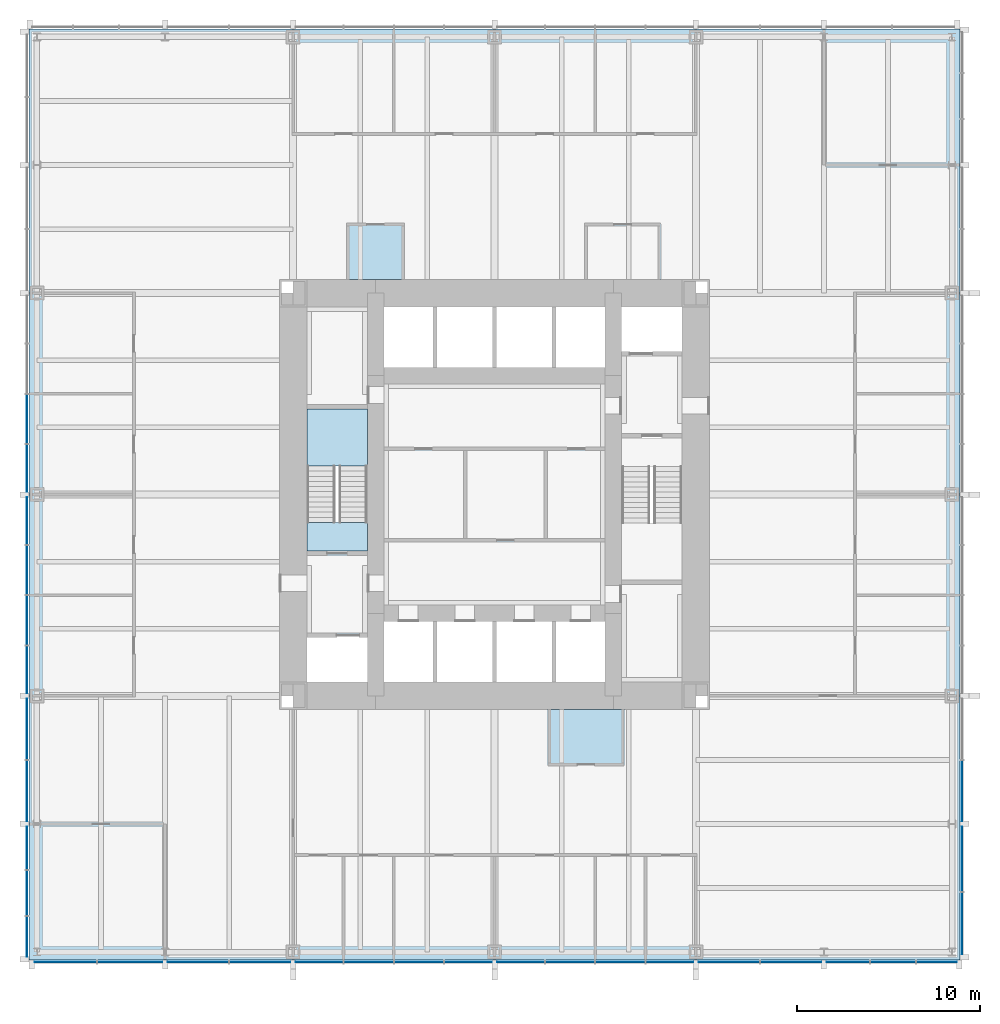
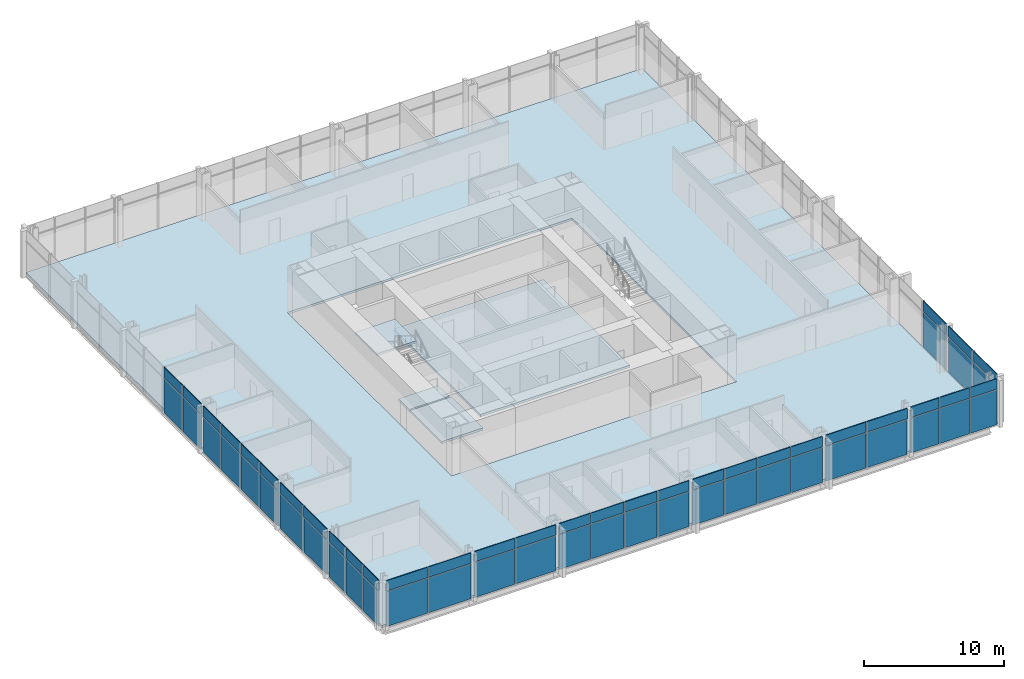
# One storey, part 7 of 12: 62 plates, 5 slabs, 4 elements without a shape of their own.
"""IFC4 building model written with IfcOpenShell, lengths in metres."""

from ifc_helpers import new_model, si_unit, direction, frame, origin, origin_2d, place, context, subcontext, project, spatial, polyline, rectangle, outline, extrude, material, layer, layer_set, type_object, element, aggregate, save


model = new_model("IFC4")

# Units and contexts
model_context = context("Model", 3, precision=1e-05, world=origin(), true_north=direction((0.0, 1.0)))
body_context = subcontext(model_context, "Body", "Model", "MODEL_VIEW")
ifc_project = project(units=[si_unit("LENGTHUNIT", "METRE"), si_unit("AREAUNIT", "SQUARE_METRE"), si_unit("VOLUMEUNIT", "CUBIC_METRE"), si_unit("PLANEANGLEUNIT", "RADIAN"), si_unit("MASSUNIT", "GRAM", prefix="KILO")], contexts=[model_context])

# Site, building, storey
site_placement = place(None, origin())
site = spatial("IfcSite", under=ifc_project, at=site_placement, CompositionType="ELEMENT")
building_placement = place(site_placement, origin())
building = spatial("IfcBuilding", under=site, at=building_placement, Name="Trevanion Tower", CompositionType="ELEMENT")
storey_placement = place(building_placement, frame((0.0, 0.0, 73.39990234375)))
storey = spatial("IfcBuildingStorey", under=building, at=storey_placement, Name="L17", CompositionType="ELEMENT", Elevation=73.39990234375)

# Curtain wall, plates
ifc_material_1 = material(Name="Aluminium and glass", Category="aluminium")
curtain_wall_type = type_object("IfcCurtainWallType", Name="CW1 curtain wall", PredefinedType="USERDEFINED", material=ifc_material_1)
curtain_wall_1_placement = place(storey_placement, origin())
curtain_wall_1 = element("IfcCurtainWall", 1, at=curtain_wall_1_placement, inside=storey, type_object=curtain_wall_type, Name="CW1 L17 0", ObjectType="UNITISED CURTAIN WALL", PredefinedType="USERDEFINED")
ifc_material_2 = material(Name="Aluminium spandrel panel", Category="aluminium")
ifc_layer_1 = layer(ifc_material_2, 0.06005859375)
ifc_layer_set_1 = layer_set([ifc_layer_1], Name="CW1 spandrel panel")
plate_type_1 = type_object("IfcPlateType", Name="CW1 spandrel panel", PredefinedType="CURTAIN_PANEL", material=ifc_layer_set_1)
plate_1_placement = place(storey_placement, frame((25.550048828125, -23.433837890625, 2.99755859375), z_axis=(0.0, 0.0, 1.0), x_axis=(0.0, 1.0, 0.0)))
plate_1 = element("IfcPlate", 2, at=plate_1_placement, type_object=plate_type_1, Name="CW1 panel 1.2", PredefinedType="CURTAIN_PANEL", context=body_context, shape_type="SweptSolid", body=[
    extrude(rectangle(XDim=3.37255859375, YDim=0.06005859375, at=origin_2d()), origin(), (0.0, 0.0, 1.0), 0.91259765625),
])
plate_2_placement = place(storey_placement, frame((25.550048828125, -19.911376953125, 2.99755859375), z_axis=(0.0, 0.0, 1.0), x_axis=(0.0, 1.0, 0.0)))
plate_2 = element("IfcPlate", 3, at=plate_2_placement, type_object=plate_type_1, Name="CW1 panel 2.2", PredefinedType="CURTAIN_PANEL", context=body_context, shape_type="SweptSolid", body=[
    extrude(rectangle(XDim=3.5224609375, YDim=0.06005859375, at=origin_2d()), origin(), (0.0, 0.0, 1.0), 0.91259765625),
])
plate_3_placement = place(storey_placement, frame((25.550048828125, -16.19384765625, 2.99755859375), z_axis=(0.0, 0.0, 1.0), x_axis=(0.0, 1.0, 0.0)))
plate_3 = element("IfcPlate", 4, at=plate_3_placement, type_object=plate_type_1, Name="CW1 panel 3.2", PredefinedType="CURTAIN_PANEL", context=body_context, shape_type="SweptSolid", body=[
    extrude(rectangle(XDim=3.3125, YDim=0.06005859375, at=origin_2d()), origin(), (0.0, 0.0, 1.0), 0.91259765625),
])

curtain_wall_2_placement = place(storey_placement, origin())
curtain_wall_2 = element("IfcCurtainWall", 5, at=curtain_wall_2_placement, inside=storey, type_object=curtain_wall_type, Name="CW1 L17 2", ObjectType="UNITISED CURTAIN WALL", PredefinedType="USERDEFINED")
plate_4_placement = place(storey_placement, frame((-25.550048828125, 4.125, 2.99755859375), z_axis=(0.0, 0.0, 1.0), x_axis=(0.0, -1.0, 0.0)))
plate_4 = element("IfcPlate", 6, at=plate_4_placement, type_object=plate_type_1, Name="CW1 panel 7.2", PredefinedType="CURTAIN_PANEL", context=body_context, shape_type="SweptSolid", body=[
    extrude(rectangle(XDim=2.675048828125, YDim=0.06005859375, at=origin_2d()), origin(), (0.0, 0.0, 1.0), 0.91259765625),
])
plate_5_placement = place(storey_placement, frame((-25.550048828125, 1.43115234375, 2.99755859375), z_axis=(0.0, 0.0, 1.0), x_axis=(0.0, -1.0, 0.0)))
plate_5 = element("IfcPlate", 7, at=plate_5_placement, type_object=plate_type_1, Name="CW1 panel 8.2", PredefinedType="CURTAIN_PANEL", context=body_context, shape_type="SweptSolid", body=[
    extrude(rectangle(XDim=2.5625, YDim=0.06005859375, at=origin_2d()), origin(), (0.0, 0.0, 1.0), 0.91259765625),
])
plate_6_placement = place(storey_placement, frame((-25.550048828125, -1.43115234375, 2.99755859375), z_axis=(0.0, 0.0, 1.0), x_axis=(0.0, -1.0, 0.0)))
plate_6 = element("IfcPlate", 8, at=plate_6_placement, type_object=plate_type_1, Name="CW1 panel 9.2", PredefinedType="CURTAIN_PANEL", context=body_context, shape_type="SweptSolid", body=[
    extrude(rectangle(XDim=2.5625, YDim=0.06005859375, at=origin_2d()), origin(), (0.0, 0.0, 1.0), 0.91259765625),
])
plate_7_placement = place(storey_placement, frame((-25.550048828125, -4.125, 2.99755859375), z_axis=(0.0, 0.0, 1.0), x_axis=(0.0, -1.0, 0.0)))
plate_7 = element("IfcPlate", 9, at=plate_7_placement, type_object=plate_type_1, Name="CW1 panel 10.2", PredefinedType="CURTAIN_PANEL", context=body_context, shape_type="SweptSolid", body=[
    extrude(rectangle(XDim=2.675048828125, YDim=0.06005859375, at=origin_2d()), origin(), (0.0, 0.0, 1.0), 0.91259765625),
])
plate_8_placement = place(storey_placement, frame((-25.550048828125, -6.875, 2.99755859375), z_axis=(0.0, 0.0, 1.0), x_axis=(0.0, -1.0, 0.0)))
plate_8 = element("IfcPlate", 10, at=plate_8_placement, type_object=plate_type_1, Name="CW1 panel 11.2", PredefinedType="CURTAIN_PANEL", context=body_context, shape_type="SweptSolid", body=[
    extrude(rectangle(XDim=2.675048828125, YDim=0.06005859375, at=origin_2d()), origin(), (0.0, 0.0, 1.0), 0.91259765625),
])
plate_9_placement = place(storey_placement, frame((-25.550048828125, -9.56884765625, 2.99755859375), z_axis=(0.0, 0.0, 1.0), x_axis=(0.0, -1.0, 0.0)))
plate_9 = element("IfcPlate", 11, at=plate_9_placement, type_object=plate_type_1, Name="CW1 panel 12.2", PredefinedType="CURTAIN_PANEL", context=body_context, shape_type="SweptSolid", body=[
    extrude(rectangle(XDim=2.5625, YDim=0.06005859375, at=origin_2d()), origin(), (0.0, 0.0, 1.0), 0.91259765625),
])
plate_10_placement = place(storey_placement, frame((-25.550048828125, -12.80615234375, 2.99755859375), z_axis=(0.0, 0.0, 1.0), x_axis=(0.0, -1.0, 0.0)))
plate_10 = element("IfcPlate", 12, at=plate_10_placement, type_object=plate_type_1, Name="CW1 panel 13.2", PredefinedType="CURTAIN_PANEL", context=body_context, shape_type="SweptSolid", body=[
    extrude(rectangle(XDim=3.3125, YDim=0.06005859375, at=origin_2d()), origin(), (0.0, 0.0, 1.0), 0.91259765625),
])
plate_11_placement = place(storey_placement, frame((-25.550048828125, -16.19384765625, 2.99755859375), z_axis=(0.0, 0.0, 1.0), x_axis=(0.0, -1.0, 0.0)))
plate_11 = element("IfcPlate", 13, at=plate_11_placement, type_object=plate_type_1, Name="CW1 panel 14.2", PredefinedType="CURTAIN_PANEL", context=body_context, shape_type="SweptSolid", body=[
    extrude(rectangle(XDim=3.3125, YDim=0.06005859375, at=origin_2d()), origin(), (0.0, 0.0, 1.0), 0.91259765625),
])
plate_12_placement = place(storey_placement, frame((-25.550048828125, -19.314697265625, 2.99755859375), z_axis=(0.0, 0.0, 1.0), x_axis=(0.0, -1.0, 0.0)))
plate_12 = element("IfcPlate", 14, at=plate_12_placement, type_object=plate_type_1, Name="CW1 panel 15.2", PredefinedType="CURTAIN_PANEL", context=body_context, shape_type="SweptSolid", body=[
    extrude(rectangle(XDim=2.3291015625, YDim=0.06005859375, at=origin_2d()), origin(), (0.0, 0.0, 1.0), 0.91259765625),
])
plate_13_placement = place(storey_placement, frame((-25.550048828125, -21.77490234375, 2.99755859375), z_axis=(0.0, 0.0, 1.0), x_axis=(0.0, -1.0, 0.0)))
plate_13 = element("IfcPlate", 15, at=plate_13_placement, type_object=plate_type_1, Name="CW1 panel 16.2", PredefinedType="CURTAIN_PANEL", context=body_context, shape_type="SweptSolid", body=[
    extrude(rectangle(XDim=2.441650390625, YDim=0.06005859375, at=origin_2d()), origin(), (0.0, 0.0, 1.0), 0.91259765625),
])
plate_14_placement = place(storey_placement, frame((-25.550048828125, -24.160400390625, 2.99755859375), z_axis=(0.0, 0.0, 1.0), x_axis=(0.0, -1.0, 0.0)))
plate_14 = element("IfcPlate", 16, at=plate_14_placement, type_object=plate_type_1, Name="CW1 panel 17.2", PredefinedType="CURTAIN_PANEL", context=body_context, shape_type="SweptSolid", body=[
    extrude(rectangle(XDim=2.17919921875, YDim=0.06005859375, at=origin_2d()), origin(), (0.0, 0.0, 1.0), 0.91259765625),
])

curtain_wall_3_placement = place(storey_placement, origin())
curtain_wall_3 = element("IfcCurtainWall", 17, at=curtain_wall_3_placement, inside=storey, type_object=curtain_wall_type, Name="CW1 L17 3", ObjectType="UNITISED CURTAIN WALL", PredefinedType="USERDEFINED")
plate_15_placement = place(storey_placement, frame((-23.433837890625, -25.550048828125, 2.99755859375), z_axis=(0.0, 0.0, 1.0), x_axis=(1.0, 0.0, 0.0)))
plate_15 = element("IfcPlate", 18, at=plate_15_placement, type_object=plate_type_1, Name="CW1 panel 1.2", PredefinedType="CURTAIN_PANEL", context=body_context, shape_type="SweptSolid", body=[
    extrude(rectangle(XDim=3.37255859375, YDim=0.06005859375, at=origin_2d()), origin(), (0.0, 0.0, 1.0), 0.91259765625),
])
plate_16_placement = place(storey_placement, frame((-19.911376953125, -25.550048828125, 2.99755859375), z_axis=(0.0, 0.0, 1.0), x_axis=(1.0, 0.0, 0.0)))
plate_16 = element("IfcPlate", 19, at=plate_16_placement, type_object=plate_type_1, Name="CW1 panel 2.2", PredefinedType="CURTAIN_PANEL", context=body_context, shape_type="SweptSolid", body=[
    extrude(rectangle(XDim=3.5224609375, YDim=0.06005859375, at=origin_2d()), origin(), (0.0, 0.0, 1.0), 0.91259765625),
])
plate_17_placement = place(storey_placement, frame((-16.19384765625, -25.550048828125, 2.99755859375), z_axis=(0.0, 0.0, 1.0), x_axis=(1.0, 0.0, 0.0)))
plate_17 = element("IfcPlate", 20, at=plate_17_placement, type_object=plate_type_1, Name="CW1 panel 3.2", PredefinedType="CURTAIN_PANEL", context=body_context, shape_type="SweptSolid", body=[
    extrude(rectangle(XDim=3.3125, YDim=0.06005859375, at=origin_2d()), origin(), (0.0, 0.0, 1.0), 0.91259765625),
])
plate_18_placement = place(storey_placement, frame((-12.806396484375, -25.550048828125, 2.99755859375), z_axis=(0.0, 0.0, 1.0), x_axis=(1.0, 0.0, 0.0)))
plate_18 = element("IfcPlate", 21, at=plate_18_placement, type_object=plate_type_1, Name="CW1 panel 4.2", PredefinedType="CURTAIN_PANEL", context=body_context, shape_type="SweptSolid", body=[
    extrude(rectangle(XDim=3.3125, YDim=0.06005859375, at=origin_2d()), origin(), (0.0, 0.0, 1.0), 0.91259765625),
])
plate_19_placement = place(storey_placement, frame((-9.56884765625, -25.550048828125, 2.99755859375), z_axis=(0.0, 0.0, 1.0), x_axis=(1.0, 0.0, 0.0)))
plate_19 = element("IfcPlate", 22, at=plate_19_placement, type_object=plate_type_1, Name="CW1 panel 5.2", PredefinedType="CURTAIN_PANEL", context=body_context, shape_type="SweptSolid", body=[
    extrude(rectangle(XDim=2.5625, YDim=0.06005859375, at=origin_2d()), origin(), (0.0, 0.0, 1.0), 0.91259765625),
])
plate_20_placement = place(storey_placement, frame((-6.875, -25.550048828125, 2.99755859375), z_axis=(0.0, 0.0, 1.0), x_axis=(1.0, 0.0, 0.0)))
plate_20 = element("IfcPlate", 23, at=plate_20_placement, type_object=plate_type_1, Name="CW1 panel 6.2", PredefinedType="CURTAIN_PANEL", context=body_context, shape_type="SweptSolid", body=[
    extrude(rectangle(XDim=2.675048828125, YDim=0.06005859375, at=origin_2d()), origin(), (0.0, 0.0, 1.0), 0.91259765625),
])
plate_21_placement = place(storey_placement, frame((-4.125, -25.550048828125, 2.99755859375), z_axis=(0.0, 0.0, 1.0), x_axis=(1.0, 0.0, 0.0)))
plate_21 = element("IfcPlate", 24, at=plate_21_placement, type_object=plate_type_1, Name="CW1 panel 7.2", PredefinedType="CURTAIN_PANEL", context=body_context, shape_type="SweptSolid", body=[
    extrude(rectangle(XDim=2.675048828125, YDim=0.06005859375, at=origin_2d()), origin(), (0.0, 0.0, 1.0), 0.91259765625),
])
plate_22_placement = place(storey_placement, frame((-1.43115234375, -25.550048828125, 2.99755859375), z_axis=(0.0, 0.0, 1.0), x_axis=(1.0, 0.0, 0.0)))
plate_22 = element("IfcPlate", 25, at=plate_22_placement, type_object=plate_type_1, Name="CW1 panel 8.2", PredefinedType="CURTAIN_PANEL", context=body_context, shape_type="SweptSolid", body=[
    extrude(rectangle(XDim=2.5625, YDim=0.06005859375, at=origin_2d()), origin(), (0.0, 0.0, 1.0), 0.91259765625),
])
plate_23_placement = place(storey_placement, frame((1.43115234375, -25.550048828125, 2.99755859375), z_axis=(0.0, 0.0, 1.0), x_axis=(1.0, 0.0, 0.0)))
plate_23 = element("IfcPlate", 26, at=plate_23_placement, type_object=plate_type_1, Name="CW1 panel 9.2", PredefinedType="CURTAIN_PANEL", context=body_context, shape_type="SweptSolid", body=[
    extrude(rectangle(XDim=2.5625, YDim=0.06005859375, at=origin_2d()), origin(), (0.0, 0.0, 1.0), 0.91259765625),
])
plate_24_placement = place(storey_placement, frame((4.125, -25.550048828125, 2.99755859375), z_axis=(0.0, 0.0, 1.0), x_axis=(1.0, 0.0, 0.0)))
plate_24 = element("IfcPlate", 27, at=plate_24_placement, type_object=plate_type_1, Name="CW1 panel 10.2", PredefinedType="CURTAIN_PANEL", context=body_context, shape_type="SweptSolid", body=[
    extrude(rectangle(XDim=2.675048828125, YDim=0.06005859375, at=origin_2d()), origin(), (0.0, 0.0, 1.0), 0.91259765625),
])
plate_25_placement = place(storey_placement, frame((6.875, -25.550048828125, 2.99755859375), z_axis=(0.0, 0.0, 1.0), x_axis=(1.0, 0.0, 0.0)))
plate_25 = element("IfcPlate", 28, at=plate_25_placement, type_object=plate_type_1, Name="CW1 panel 11.2", PredefinedType="CURTAIN_PANEL", context=body_context, shape_type="SweptSolid", body=[
    extrude(rectangle(XDim=2.675048828125, YDim=0.06005859375, at=origin_2d()), origin(), (0.0, 0.0, 1.0), 0.91259765625),
])
plate_26_placement = place(storey_placement, frame((9.56884765625, -25.550048828125, 2.99755859375), z_axis=(0.0, 0.0, 1.0), x_axis=(1.0, 0.0, 0.0)))
plate_26 = element("IfcPlate", 29, at=plate_26_placement, type_object=plate_type_1, Name="CW1 panel 12.2", PredefinedType="CURTAIN_PANEL", context=body_context, shape_type="SweptSolid", body=[
    extrude(rectangle(XDim=2.5625, YDim=0.06005859375, at=origin_2d()), origin(), (0.0, 0.0, 1.0), 0.91259765625),
])
plate_27_placement = place(storey_placement, frame((12.80615234375, -25.550048828125, 2.99755859375), z_axis=(0.0, 0.0, 1.0), x_axis=(1.0, 0.0, 0.0)))
plate_27 = element("IfcPlate", 30, at=plate_27_placement, type_object=plate_type_1, Name="CW1 panel 13.2", PredefinedType="CURTAIN_PANEL", context=body_context, shape_type="SweptSolid", body=[
    extrude(rectangle(XDim=3.3125, YDim=0.06005859375, at=origin_2d()), origin(), (0.0, 0.0, 1.0), 0.91259765625),
])
plate_28_placement = place(storey_placement, frame((16.19384765625, -25.550048828125, 2.99755859375), z_axis=(0.0, 0.0, 1.0), x_axis=(1.0, 0.0, 0.0)))
plate_28 = element("IfcPlate", 31, at=plate_28_placement, type_object=plate_type_1, Name="CW1 panel 14.2", PredefinedType="CURTAIN_PANEL", context=body_context, shape_type="SweptSolid", body=[
    extrude(rectangle(XDim=3.3125, YDim=0.06005859375, at=origin_2d()), origin(), (0.0, 0.0, 1.0), 0.91259765625),
])
plate_29_placement = place(storey_placement, frame((19.314697265625, -25.550048828125, 2.99755859375), z_axis=(0.0, 0.0, 1.0), x_axis=(1.0, 0.0, 0.0)))
plate_29 = element("IfcPlate", 32, at=plate_29_placement, type_object=plate_type_1, Name="CW1 panel 15.2", PredefinedType="CURTAIN_PANEL", context=body_context, shape_type="SweptSolid", body=[
    extrude(rectangle(XDim=2.3291015625, YDim=0.06005859375, at=origin_2d()), origin(), (0.0, 0.0, 1.0), 0.91259765625),
])
plate_30_placement = place(storey_placement, frame((21.77490234375, -25.550048828125, 2.99755859375), z_axis=(0.0, 0.0, 1.0), x_axis=(1.0, 0.0, 0.0)))
plate_30 = element("IfcPlate", 33, at=plate_30_placement, type_object=plate_type_1, Name="CW1 panel 16.2", PredefinedType="CURTAIN_PANEL", context=body_context, shape_type="SweptSolid", body=[
    extrude(rectangle(XDim=2.441650390625, YDim=0.06005859375, at=origin_2d()), origin(), (0.0, 0.0, 1.0), 0.91259765625),
])
plate_31_placement = place(storey_placement, frame((24.160400390625, -25.550048828125, 2.99755859375), z_axis=(0.0, 0.0, 1.0), x_axis=(1.0, 0.0, 0.0)))
plate_31 = element("IfcPlate", 34, at=plate_31_placement, type_object=plate_type_1, Name="CW1 panel 17.2", PredefinedType="CURTAIN_PANEL", context=body_context, shape_type="SweptSolid", body=[
    extrude(rectangle(XDim=2.17919921875, YDim=0.06005859375, at=origin_2d()), origin(), (0.0, 0.0, 1.0), 0.91259765625),
])

# Plate
ifc_material_3 = material(Name="Insulating glass unit", Category="glass")
ifc_layer_2 = layer(ifc_material_3, 0.028076171875)
ifc_layer_set_2 = layer_set([ifc_layer_2], Name="CW1 vision panel")
plate_type_2 = type_object("IfcPlateType", Name="CW1 vision panel", PredefinedType="CURTAIN_PANEL", material=ifc_layer_set_2)
plate_32_placement = place(storey_placement, frame((25.550048828125, -23.433837890625, -0.114990234375), z_axis=(0.0, 0.0, 1.0), x_axis=(0.0, 1.0, 0.0)))
plate_32 = element("IfcPlate", 35, at=plate_32_placement, type_object=plate_type_2, Name="CW1 panel 1.1", PredefinedType="CURTAIN_PANEL", context=body_context, shape_type="SweptSolid", body=[
    extrude(rectangle(XDim=3.37255859375, YDim=0.028076171875, at=origin_2d()), origin(), (0.0, 0.0, 1.0), 3.03759765625),
])

plate_33_placement = place(storey_placement, frame((25.550048828125, -19.911376953125, -0.114990234375), z_axis=(0.0, 0.0, 1.0), x_axis=(0.0, 1.0, 0.0)))
plate_33 = element("IfcPlate", 36, at=plate_33_placement, type_object=plate_type_2, Name="CW1 panel 2.1", PredefinedType="CURTAIN_PANEL", context=body_context, shape_type="SweptSolid", body=[
    extrude(rectangle(XDim=3.5224609375, YDim=0.028076171875, at=origin_2d()), origin(), (0.0, 0.0, 1.0), 3.03759765625),
])

plate_34_placement = place(storey_placement, frame((25.550048828125, -16.19384765625, -0.114990234375), z_axis=(0.0, 0.0, 1.0), x_axis=(0.0, 1.0, 0.0)))
plate_34 = element("IfcPlate", 37, at=plate_34_placement, type_object=plate_type_2, Name="CW1 panel 3.1", PredefinedType="CURTAIN_PANEL", context=body_context, shape_type="SweptSolid", body=[
    extrude(rectangle(XDim=3.3125, YDim=0.028076171875, at=origin_2d()), origin(), (0.0, 0.0, 1.0), 3.03759765625),
])

aggregate(curtain_wall_1, [plate_32, plate_1, plate_33, plate_2, plate_34, plate_3])

plate_35_placement = place(storey_placement, frame((-25.550048828125, 4.125, -0.114990234375), z_axis=(0.0, 0.0, 1.0), x_axis=(0.0, -1.0, 0.0)))
plate_35 = element("IfcPlate", 38, at=plate_35_placement, type_object=plate_type_2, Name="CW1 panel 7.1", PredefinedType="CURTAIN_PANEL", context=body_context, shape_type="SweptSolid", body=[
    extrude(rectangle(XDim=2.675048828125, YDim=0.028076171875, at=origin_2d()), origin(), (0.0, 0.0, 1.0), 3.03759765625),
])

plate_36_placement = place(storey_placement, frame((-25.550048828125, 1.43115234375, -0.114990234375), z_axis=(0.0, 0.0, 1.0), x_axis=(0.0, -1.0, 0.0)))
plate_36 = element("IfcPlate", 39, at=plate_36_placement, type_object=plate_type_2, Name="CW1 panel 8.1", PredefinedType="CURTAIN_PANEL", context=body_context, shape_type="SweptSolid", body=[
    extrude(rectangle(XDim=2.5625, YDim=0.028076171875, at=origin_2d()), origin(), (0.0, 0.0, 1.0), 3.03759765625),
])

plate_37_placement = place(storey_placement, frame((-25.550048828125, -1.43115234375, -0.114990234375), z_axis=(0.0, 0.0, 1.0), x_axis=(0.0, -1.0, 0.0)))
plate_37 = element("IfcPlate", 40, at=plate_37_placement, type_object=plate_type_2, Name="CW1 panel 9.1", PredefinedType="CURTAIN_PANEL", context=body_context, shape_type="SweptSolid", body=[
    extrude(rectangle(XDim=2.5625, YDim=0.028076171875, at=origin_2d()), origin(), (0.0, 0.0, 1.0), 3.03759765625),
])

plate_38_placement = place(storey_placement, frame((-25.550048828125, -4.125, -0.114990234375), z_axis=(0.0, 0.0, 1.0), x_axis=(0.0, -1.0, 0.0)))
plate_38 = element("IfcPlate", 41, at=plate_38_placement, type_object=plate_type_2, Name="CW1 panel 10.1", PredefinedType="CURTAIN_PANEL", context=body_context, shape_type="SweptSolid", body=[
    extrude(rectangle(XDim=2.675048828125, YDim=0.028076171875, at=origin_2d()), origin(), (0.0, 0.0, 1.0), 3.03759765625),
])

plate_39_placement = place(storey_placement, frame((-25.550048828125, -6.875, -0.114990234375), z_axis=(0.0, 0.0, 1.0), x_axis=(0.0, -1.0, 0.0)))
plate_39 = element("IfcPlate", 42, at=plate_39_placement, type_object=plate_type_2, Name="CW1 panel 11.1", PredefinedType="CURTAIN_PANEL", context=body_context, shape_type="SweptSolid", body=[
    extrude(rectangle(XDim=2.675048828125, YDim=0.028076171875, at=origin_2d()), origin(), (0.0, 0.0, 1.0), 3.03759765625),
])

plate_40_placement = place(storey_placement, frame((-25.550048828125, -9.56884765625, -0.114990234375), z_axis=(0.0, 0.0, 1.0), x_axis=(0.0, -1.0, 0.0)))
plate_40 = element("IfcPlate", 43, at=plate_40_placement, type_object=plate_type_2, Name="CW1 panel 12.1", PredefinedType="CURTAIN_PANEL", context=body_context, shape_type="SweptSolid", body=[
    extrude(rectangle(XDim=2.5625, YDim=0.028076171875, at=origin_2d()), origin(), (0.0, 0.0, 1.0), 3.03759765625),
])

plate_41_placement = place(storey_placement, frame((-25.550048828125, -12.80615234375, -0.114990234375), z_axis=(0.0, 0.0, 1.0), x_axis=(0.0, -1.0, 0.0)))
plate_41 = element("IfcPlate", 44, at=plate_41_placement, type_object=plate_type_2, Name="CW1 panel 13.1", PredefinedType="CURTAIN_PANEL", context=body_context, shape_type="SweptSolid", body=[
    extrude(rectangle(XDim=3.3125, YDim=0.028076171875, at=origin_2d()), origin(), (0.0, 0.0, 1.0), 3.03759765625),
])

plate_42_placement = place(storey_placement, frame((-25.550048828125, -16.19384765625, -0.114990234375), z_axis=(0.0, 0.0, 1.0), x_axis=(0.0, -1.0, 0.0)))
plate_42 = element("IfcPlate", 45, at=plate_42_placement, type_object=plate_type_2, Name="CW1 panel 14.1", PredefinedType="CURTAIN_PANEL", context=body_context, shape_type="SweptSolid", body=[
    extrude(rectangle(XDim=3.3125, YDim=0.028076171875, at=origin_2d()), origin(), (0.0, 0.0, 1.0), 3.03759765625),
])

plate_43_placement = place(storey_placement, frame((-25.550048828125, -19.314697265625, -0.114990234375), z_axis=(0.0, 0.0, 1.0), x_axis=(0.0, -1.0, 0.0)))
plate_43 = element("IfcPlate", 46, at=plate_43_placement, type_object=plate_type_2, Name="CW1 panel 15.1", PredefinedType="CURTAIN_PANEL", context=body_context, shape_type="SweptSolid", body=[
    extrude(rectangle(XDim=2.3291015625, YDim=0.028076171875, at=origin_2d()), origin(), (0.0, 0.0, 1.0), 3.03759765625),
])

plate_44_placement = place(storey_placement, frame((-25.550048828125, -21.77490234375, -0.114990234375), z_axis=(0.0, 0.0, 1.0), x_axis=(0.0, -1.0, 0.0)))
plate_44 = element("IfcPlate", 47, at=plate_44_placement, type_object=plate_type_2, Name="CW1 panel 16.1", PredefinedType="CURTAIN_PANEL", context=body_context, shape_type="SweptSolid", body=[
    extrude(rectangle(XDim=2.441650390625, YDim=0.028076171875, at=origin_2d()), origin(), (0.0, 0.0, 1.0), 3.03759765625),
])

plate_45_placement = place(storey_placement, frame((-25.550048828125, -24.160400390625, -0.114990234375), z_axis=(0.0, 0.0, 1.0), x_axis=(0.0, -1.0, 0.0)))
plate_45 = element("IfcPlate", 48, at=plate_45_placement, type_object=plate_type_2, Name="CW1 panel 17.1", PredefinedType="CURTAIN_PANEL", context=body_context, shape_type="SweptSolid", body=[
    extrude(rectangle(XDim=2.17919921875, YDim=0.028076171875, at=origin_2d()), origin(), (0.0, 0.0, 1.0), 3.03759765625),
])

aggregate(curtain_wall_2, [plate_35, plate_4, plate_36, plate_5, plate_37, plate_6, plate_38, plate_7, plate_39, plate_8, plate_40, plate_9, plate_41, plate_10, plate_42, plate_11, plate_43, plate_12, plate_44, plate_13, plate_45, plate_14])

plate_46_placement = place(storey_placement, frame((-23.433837890625, -25.550048828125, -0.114990234375), z_axis=(0.0, 0.0, 1.0), x_axis=(1.0, 0.0, 0.0)))
plate_46 = element("IfcPlate", 49, at=plate_46_placement, type_object=plate_type_2, Name="CW1 panel 1.1", PredefinedType="CURTAIN_PANEL", context=body_context, shape_type="SweptSolid", body=[
    extrude(rectangle(XDim=3.37255859375, YDim=0.028076171875, at=origin_2d()), origin(), (0.0, 0.0, 1.0), 3.03759765625),
])

plate_47_placement = place(storey_placement, frame((-19.911376953125, -25.550048828125, -0.114990234375), z_axis=(0.0, 0.0, 1.0), x_axis=(1.0, 0.0, 0.0)))
plate_47 = element("IfcPlate", 50, at=plate_47_placement, type_object=plate_type_2, Name="CW1 panel 2.1", PredefinedType="CURTAIN_PANEL", context=body_context, shape_type="SweptSolid", body=[
    extrude(rectangle(XDim=3.5224609375, YDim=0.028076171875, at=origin_2d()), origin(), (0.0, 0.0, 1.0), 3.03759765625),
])

plate_48_placement = place(storey_placement, frame((-16.19384765625, -25.550048828125, -0.114990234375), z_axis=(0.0, 0.0, 1.0), x_axis=(1.0, 0.0, 0.0)))
plate_48 = element("IfcPlate", 51, at=plate_48_placement, type_object=plate_type_2, Name="CW1 panel 3.1", PredefinedType="CURTAIN_PANEL", context=body_context, shape_type="SweptSolid", body=[
    extrude(rectangle(XDim=3.3125, YDim=0.028076171875, at=origin_2d()), origin(), (0.0, 0.0, 1.0), 3.03759765625),
])

plate_49_placement = place(storey_placement, frame((-12.806396484375, -25.550048828125, -0.114990234375), z_axis=(0.0, 0.0, 1.0), x_axis=(1.0, 0.0, 0.0)))
plate_49 = element("IfcPlate", 52, at=plate_49_placement, type_object=plate_type_2, Name="CW1 panel 4.1", PredefinedType="CURTAIN_PANEL", context=body_context, shape_type="SweptSolid", body=[
    extrude(rectangle(XDim=3.3125, YDim=0.028076171875, at=origin_2d()), origin(), (0.0, 0.0, 1.0), 3.03759765625),
])

plate_50_placement = place(storey_placement, frame((-9.56884765625, -25.550048828125, -0.114990234375), z_axis=(0.0, 0.0, 1.0), x_axis=(1.0, 0.0, 0.0)))
plate_50 = element("IfcPlate", 53, at=plate_50_placement, type_object=plate_type_2, Name="CW1 panel 5.1", PredefinedType="CURTAIN_PANEL", context=body_context, shape_type="SweptSolid", body=[
    extrude(rectangle(XDim=2.5625, YDim=0.028076171875, at=origin_2d()), origin(), (0.0, 0.0, 1.0), 3.03759765625),
])

plate_51_placement = place(storey_placement, frame((-6.875, -25.550048828125, -0.114990234375), z_axis=(0.0, 0.0, 1.0), x_axis=(1.0, 0.0, 0.0)))
plate_51 = element("IfcPlate", 54, at=plate_51_placement, type_object=plate_type_2, Name="CW1 panel 6.1", PredefinedType="CURTAIN_PANEL", context=body_context, shape_type="SweptSolid", body=[
    extrude(rectangle(XDim=2.675048828125, YDim=0.028076171875, at=origin_2d()), origin(), (0.0, 0.0, 1.0), 3.03759765625),
])

plate_52_placement = place(storey_placement, frame((-4.125, -25.550048828125, -0.114990234375), z_axis=(0.0, 0.0, 1.0), x_axis=(1.0, 0.0, 0.0)))
plate_52 = element("IfcPlate", 55, at=plate_52_placement, type_object=plate_type_2, Name="CW1 panel 7.1", PredefinedType="CURTAIN_PANEL", context=body_context, shape_type="SweptSolid", body=[
    extrude(rectangle(XDim=2.675048828125, YDim=0.028076171875, at=origin_2d()), origin(), (0.0, 0.0, 1.0), 3.03759765625),
])

plate_53_placement = place(storey_placement, frame((-1.43115234375, -25.550048828125, -0.114990234375), z_axis=(0.0, 0.0, 1.0), x_axis=(1.0, 0.0, 0.0)))
plate_53 = element("IfcPlate", 56, at=plate_53_placement, type_object=plate_type_2, Name="CW1 panel 8.1", PredefinedType="CURTAIN_PANEL", context=body_context, shape_type="SweptSolid", body=[
    extrude(rectangle(XDim=2.5625, YDim=0.028076171875, at=origin_2d()), origin(), (0.0, 0.0, 1.0), 3.03759765625),
])

plate_54_placement = place(storey_placement, frame((1.43115234375, -25.550048828125, -0.114990234375), z_axis=(0.0, 0.0, 1.0), x_axis=(1.0, 0.0, 0.0)))
plate_54 = element("IfcPlate", 57, at=plate_54_placement, type_object=plate_type_2, Name="CW1 panel 9.1", PredefinedType="CURTAIN_PANEL", context=body_context, shape_type="SweptSolid", body=[
    extrude(rectangle(XDim=2.5625, YDim=0.028076171875, at=origin_2d()), origin(), (0.0, 0.0, 1.0), 3.03759765625),
])

plate_55_placement = place(storey_placement, frame((4.125, -25.550048828125, -0.114990234375), z_axis=(0.0, 0.0, 1.0), x_axis=(1.0, 0.0, 0.0)))
plate_55 = element("IfcPlate", 58, at=plate_55_placement, type_object=plate_type_2, Name="CW1 panel 10.1", PredefinedType="CURTAIN_PANEL", context=body_context, shape_type="SweptSolid", body=[
    extrude(rectangle(XDim=2.675048828125, YDim=0.028076171875, at=origin_2d()), origin(), (0.0, 0.0, 1.0), 3.03759765625),
])

plate_56_placement = place(storey_placement, frame((6.875, -25.550048828125, -0.114990234375), z_axis=(0.0, 0.0, 1.0), x_axis=(1.0, 0.0, 0.0)))
plate_56 = element("IfcPlate", 59, at=plate_56_placement, type_object=plate_type_2, Name="CW1 panel 11.1", PredefinedType="CURTAIN_PANEL", context=body_context, shape_type="SweptSolid", body=[
    extrude(rectangle(XDim=2.675048828125, YDim=0.028076171875, at=origin_2d()), origin(), (0.0, 0.0, 1.0), 3.03759765625),
])

plate_57_placement = place(storey_placement, frame((9.56884765625, -25.550048828125, -0.114990234375), z_axis=(0.0, 0.0, 1.0), x_axis=(1.0, 0.0, 0.0)))
plate_57 = element("IfcPlate", 60, at=plate_57_placement, type_object=plate_type_2, Name="CW1 panel 12.1", PredefinedType="CURTAIN_PANEL", context=body_context, shape_type="SweptSolid", body=[
    extrude(rectangle(XDim=2.5625, YDim=0.028076171875, at=origin_2d()), origin(), (0.0, 0.0, 1.0), 3.03759765625),
])

plate_58_placement = place(storey_placement, frame((12.80615234375, -25.550048828125, -0.114990234375), z_axis=(0.0, 0.0, 1.0), x_axis=(1.0, 0.0, 0.0)))
plate_58 = element("IfcPlate", 61, at=plate_58_placement, type_object=plate_type_2, Name="CW1 panel 13.1", PredefinedType="CURTAIN_PANEL", context=body_context, shape_type="SweptSolid", body=[
    extrude(rectangle(XDim=3.3125, YDim=0.028076171875, at=origin_2d()), origin(), (0.0, 0.0, 1.0), 3.03759765625),
])

plate_59_placement = place(storey_placement, frame((16.19384765625, -25.550048828125, -0.114990234375), z_axis=(0.0, 0.0, 1.0), x_axis=(1.0, 0.0, 0.0)))
plate_59 = element("IfcPlate", 62, at=plate_59_placement, type_object=plate_type_2, Name="CW1 panel 14.1", PredefinedType="CURTAIN_PANEL", context=body_context, shape_type="SweptSolid", body=[
    extrude(rectangle(XDim=3.3125, YDim=0.028076171875, at=origin_2d()), origin(), (0.0, 0.0, 1.0), 3.03759765625),
])

plate_60_placement = place(storey_placement, frame((19.314697265625, -25.550048828125, -0.114990234375), z_axis=(0.0, 0.0, 1.0), x_axis=(1.0, 0.0, 0.0)))
plate_60 = element("IfcPlate", 63, at=plate_60_placement, type_object=plate_type_2, Name="CW1 panel 15.1", PredefinedType="CURTAIN_PANEL", context=body_context, shape_type="SweptSolid", body=[
    extrude(rectangle(XDim=2.3291015625, YDim=0.028076171875, at=origin_2d()), origin(), (0.0, 0.0, 1.0), 3.03759765625),
])

plate_61_placement = place(storey_placement, frame((21.77490234375, -25.550048828125, -0.114990234375), z_axis=(0.0, 0.0, 1.0), x_axis=(1.0, 0.0, 0.0)))
plate_61 = element("IfcPlate", 64, at=plate_61_placement, type_object=plate_type_2, Name="CW1 panel 16.1", PredefinedType="CURTAIN_PANEL", context=body_context, shape_type="SweptSolid", body=[
    extrude(rectangle(XDim=2.441650390625, YDim=0.028076171875, at=origin_2d()), origin(), (0.0, 0.0, 1.0), 3.03759765625),
])

plate_62_placement = place(storey_placement, frame((24.160400390625, -25.550048828125, -0.114990234375), z_axis=(0.0, 0.0, 1.0), x_axis=(1.0, 0.0, 0.0)))
plate_62 = element("IfcPlate", 65, at=plate_62_placement, type_object=plate_type_2, Name="CW1 panel 17.1", PredefinedType="CURTAIN_PANEL", context=body_context, shape_type="SweptSolid", body=[
    extrude(rectangle(XDim=2.17919921875, YDim=0.028076171875, at=origin_2d()), origin(), (0.0, 0.0, 1.0), 3.03759765625),
])

aggregate(curtain_wall_3, [plate_46, plate_15, plate_47, plate_16, plate_48, plate_17, plate_49, plate_18, plate_50, plate_19, plate_51, plate_20, plate_52, plate_21, plate_53, plate_22, plate_54, plate_23, plate_55, plate_24, plate_56, plate_25, plate_57, plate_26, plate_58, plate_27, plate_59, plate_28, plate_60, plate_29, plate_61, plate_30, plate_62, plate_31])

# Slabs
ifc_material_4 = material(Name="Concrete 5,000 psi on composite metal deck", Category="concrete")
ifc_layer_3 = layer(ifc_material_4, 0.18994140625)
ifc_layer_set_3 = layer_set([ifc_layer_3], Name="SL1 composite floor 190")
slab_type_1 = type_object("IfcSlabType", Name="SL1 composite floor 190", PredefinedType="FLOOR", material=ifc_layer_set_3)
slab_1_placement = place(storey_placement, frame((0.0, 0.0, -0.18994140625)))
element("IfcSlab", 66, at=slab_1_placement, inside=storey, type_object=slab_type_1, Name="SL1 L17 floor", PredefinedType="FLOOR", context=body_context, shape_type="SweptSolid", body=[
    extrude(outline(polyline([(25.419921875, -25.419921875), (25.419921875, 25.419921875), (-25.419921875, 25.419921875), (-25.419921875, -25.419921875), (25.419921875, -25.419921875)]), holes=[polyline([(11.75, -11.75), (11.75, 11.75), (-11.75, 11.75), (-11.75, -11.75), (11.75, -11.75)])]), origin(), (0.0, 0.0, 1.0), 0.18994140625),
])
ifc_material_5 = material(Name="Concrete 5,000 psi", Category="concrete")
ifc_layer_4 = layer(ifc_material_5, 0.199951171875)
ifc_layer_set_4 = layer_set([ifc_layer_4], Name="SL2 core floor 200")
slab_type_2 = type_object("IfcSlabType", Name="SL2 core floor 200", PredefinedType="FLOOR", material=ifc_layer_set_4)
slab_2_placement = place(storey_placement, frame((0.0, 0.0, -0.199951171875)))
element("IfcSlab", 67, at=slab_2_placement, inside=storey, type_object=slab_type_2, Name="SL2 L17 core floor 2", PredefinedType="FLOOR", context=body_context, shape_type="SweptSolid", body=[
    extrude(outline(polyline([(-6.830078125, -3.205078125), (-6.830078125, -7.695068359375), (-10.25, -7.695068359375), (-10.25, -3.205078125), (-6.830078125, -3.205078125)])), origin(), (0.0, 0.0, 1.0), 0.199951171875),
])
slab_3_placement = place(storey_placement, frame((0.0, 0.0, -0.199951171875)))
element("IfcSlab", 68, at=slab_3_placement, inside=storey, type_object=slab_type_2, Name="SL2 L17 core floor 3", PredefinedType="FLOOR", context=body_context, shape_type="SweptSolid", body=[
    extrude(outline(polyline([(6.169921875, -6.169921875), (-6.169921875, -6.169921875), (-6.169921875, 6.169921875), (6.169921875, 6.169921875), (6.169921875, -6.169921875)])), origin(), (0.0, 0.0, 1.0), 0.199951171875),
])

# Stair, slabs
ifc_material_6 = material(Name="Concrete 5,000 psi on steel stringers", Category="concrete")
stair_type = type_object("IfcStairType", Name="ST stair", PredefinedType="HALF_TURN_STAIR", material=ifc_material_6)
stair_placement = place(storey_placement, origin())
stair = element("IfcStair", 69, at=stair_placement, inside=storey, type_object=stair_type, Name="ST2 L17", PredefinedType="HALF_TURN_STAIR")
ifc_material_7 = material(Name="Concrete 5,000 psi in steel pan", Category="concrete")
ifc_layer_5 = layer(ifc_material_7, 0.199951171875)
ifc_layer_set_5 = layer_set([ifc_layer_5], Name="STL stair landing 200")
slab_type_3 = type_object("IfcSlabType", Name="STL stair landing 200", PredefinedType="LANDING", material=ifc_layer_set_5)
slab_4_placement = place(storey_placement, frame((0.0, 0.0, -0.199951171875)))
slab_4 = element("IfcSlab", 70, at=slab_4_placement, type_object=slab_type_3, Name="ST2 landing 1", PredefinedType="LANDING", context=body_context, shape_type="SweptSolid", body=[
    extrude(outline(polyline([(-6.949951171875, -1.52490234375), (-10.25, -1.52490234375), (-10.25, -3.074951171875), (-6.949951171875, -3.074951171875), (-6.949951171875, -1.52490234375)])), origin(), (0.0, 0.0, 1.0), 0.199951171875),
])
slab_5_placement = place(storey_placement, frame((0.0, 0.0, 1.85009765625)))
slab_5 = element("IfcSlab", 71, at=slab_5_placement, type_object=slab_type_3, Name="ST2 landing 2", PredefinedType="LANDING", context=body_context, shape_type="SweptSolid", body=[
    extrude(outline(polyline([(-6.949951171875, 4.675048828125), (-10.25, 4.675048828125), (-10.25, 1.554931640625), (-6.949951171875, 1.554931640625), (-6.949951171875, 4.675048828125)])), origin(), (0.0, 0.0, 1.0), 0.199951171875),
])
aggregate(stair, [slab_4, slab_5])

save(model, "model.ifc")
